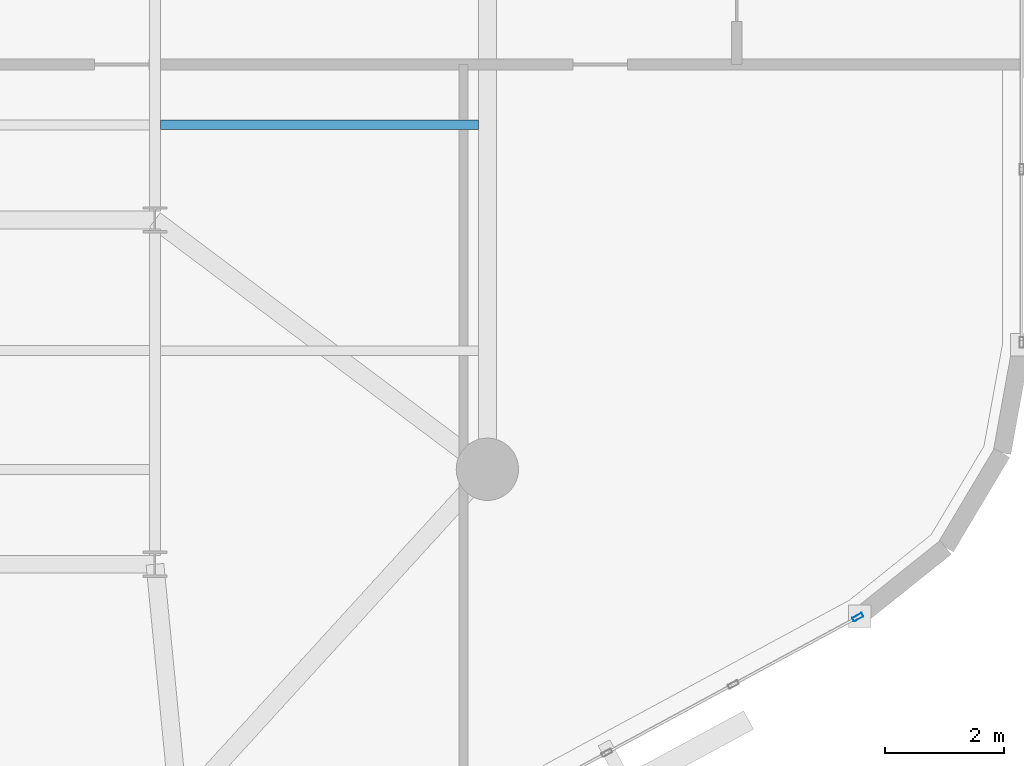
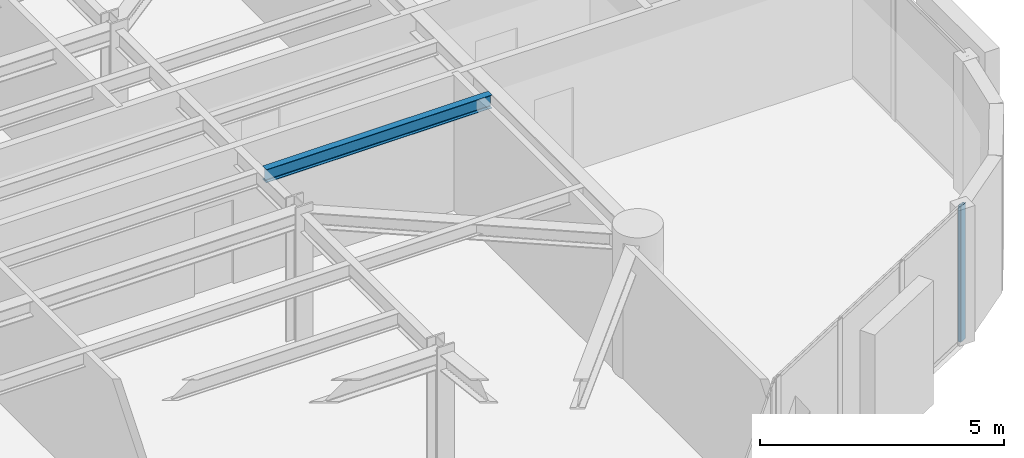
# One storey, part 3 of 13: 1 beam, 1 member, 1 element without a shape of its own.
"""IFC4 building model written with IfcOpenShell, lengths in metres."""

from ifc_helpers import new_model, si_unit, direction, frame, origin, origin_2d, place, context, subcontext, project, spatial, hollow_rectangle, i_section, extrude, material, layer, layer_set, material_profile, profile_set, type_object, element, aggregate, save


model = new_model("IFC4")

# Units and contexts
model_context = context("Model", 3, precision=1e-05, world=origin(), true_north=direction((0.0, 1.0)))
body_context = subcontext(model_context, "Body", "Model", "MODEL_VIEW")
ifc_project = project(units=[si_unit("LENGTHUNIT", "METRE"), si_unit("AREAUNIT", "SQUARE_METRE"), si_unit("VOLUMEUNIT", "CUBIC_METRE"), si_unit("PLANEANGLEUNIT", "RADIAN"), si_unit("MASSUNIT", "GRAM", prefix="KILO")], contexts=[model_context])

# Site, building, storey
site_placement = place(None, origin())
site = spatial("IfcSite", under=ifc_project, at=site_placement, CompositionType="ELEMENT")
building_placement = place(site_placement, origin())
building = spatial("IfcBuilding", under=site, at=building_placement, Name="An Khanh Terracotta Commons", CompositionType="ELEMENT")
storey_placement = place(building_placement, frame((0.0, 0.0, 212.10009765625)))
storey = spatial("IfcBuildingStorey", under=building, at=storey_placement, Name="L55", CompositionType="ELEMENT", Elevation=212.10009765625)

# Beam
ifc_material_1 = material(Name="Steel S355J2", Category="steel")
ifc_material_profile_1 = material_profile(ifc_material_1, i_section(OverallWidth=0.159912109375, OverallDepth=0.330078125, WebThickness=0.007568359375, FlangeThickness=0.011474609375, FilletRadius=0.01806640625, at=origin_2d()), Name="IPE330")
ifc_profile_set_1 = profile_set([ifc_material_profile_1], Name="Steel S355J2")
beam_type = type_object("IfcBeamType", Name="BM-IPE330", PredefinedType="JOIST", material=ifc_profile_set_1)
beam_placement = place(storey_placement, frame((54.094970703125, 21.800048828125, 3.23486328125), z_axis=(1.0, 0.0, 0.0), x_axis=(0.0, 1.0, 0.0)))
element("IfcBeam", 1, at=beam_placement, inside=storey, type_object=beam_type, Name="L55 Riverfront Composite Joist 3", PredefinedType="JOIST", context=body_context, shape_type="SweptSolid", body=[
    extrude(i_section(OverallWidth=0.159912109375, OverallDepth=0.330078125, WebThickness=0.007568359375, FlangeThickness=0.011474609375, FilletRadius=0.01806640625, at=origin_2d()), origin(), (0.0, 0.0, 1.0), 5.35498046875),
])

# Curtain wall, member
ifc_material_2 = material(Name="Anodised Aluminium 6063-T6", Category="aluminium")
ifc_layer = layer(ifc_material_2, 0.2099609375, Name="Anodised Aluminium 6063-T6")
ifc_layer_set = layer_set([ifc_layer], Name="Anodised Aluminium 6063-T6")
curtain_wall_type = type_object("IfcCurtainWallType", Name="CW-SYS-03", PredefinedType="USERDEFINED", material=ifc_layer_set)
curtain_wall_placement = place(storey_placement, origin())
curtain_wall = element("IfcCurtainWall", 2, at=curtain_wall_placement, inside=storey, type_object=curtain_wall_type, Name="L55 CW-03 Unitised Curtain Wall CW-L55-08", ObjectType="UNITISED CURTAIN WALL", PredefinedType="USERDEFINED")
ifc_material_profile_2 = material_profile(ifc_material_2, hollow_rectangle(XDim=0.070068359375, YDim=0.179931640625, WallThickness=0.00390625, InnerFilletRadius=0.00390625, OuterFilletRadius=0.008056640625, at=origin_2d()), Name="RHS180x70x4")
ifc_profile_set_2 = profile_set([ifc_material_profile_2], Name="Anodised Aluminium 6063-T6")
member_type = type_object("IfcMemberType", Name="CWM-RHS180x70x4", PredefinedType="MULLION", material=ifc_profile_set_2)
member_placement = place(storey_placement, frame((65.84130859375, 13.50927734375, 0.0), z_axis=(0.0, 0.0, 1.0), x_axis=(-0.47538088298, 0.879780095306, 0.0)))
member = element("IfcMember", 3, at=member_placement, type_object=member_type, Name="CW-03 mullion 5", PredefinedType="MULLION", context=body_context, shape_type="SweptSolid", body=[
    extrude(hollow_rectangle(XDim=0.070068359375, YDim=0.179931640625, WallThickness=0.00390625, InnerFilletRadius=0.00390625, OuterFilletRadius=0.008056640625, at=origin_2d()), origin(), (0.0, 0.0, 1.0), 3.39990234375),
])
aggregate(curtain_wall, [member])

save(model, "model.ifc")
